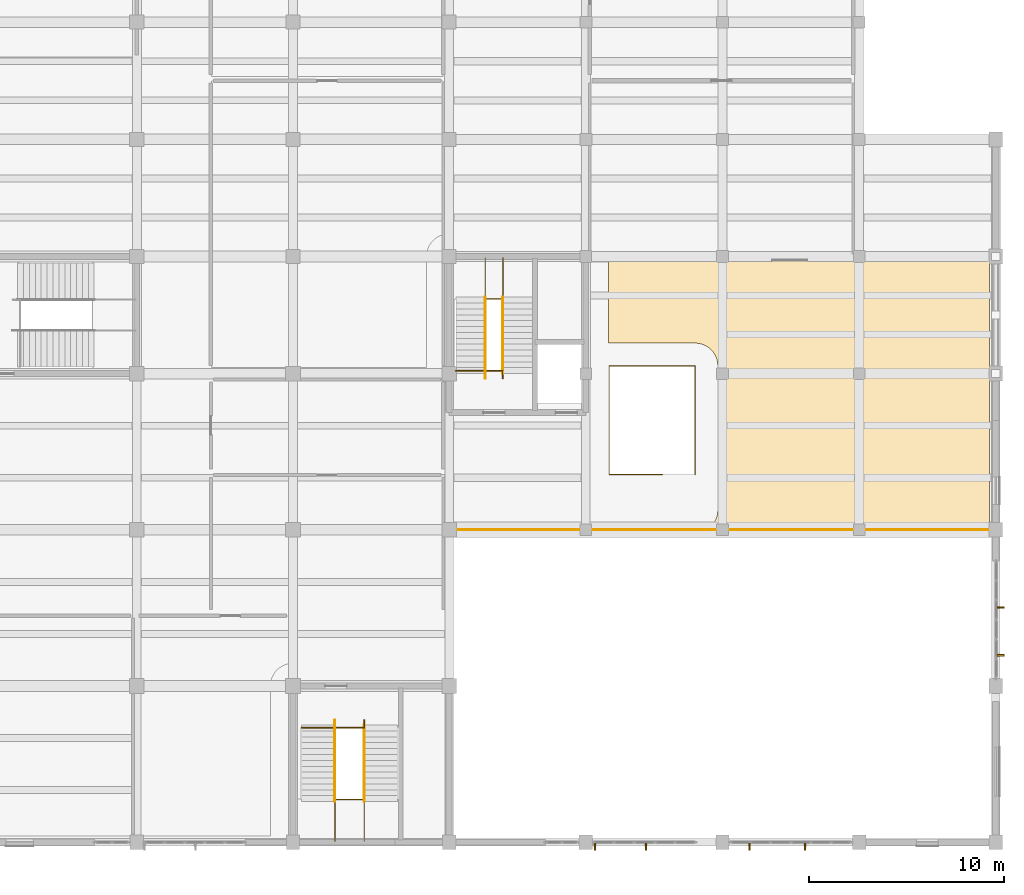
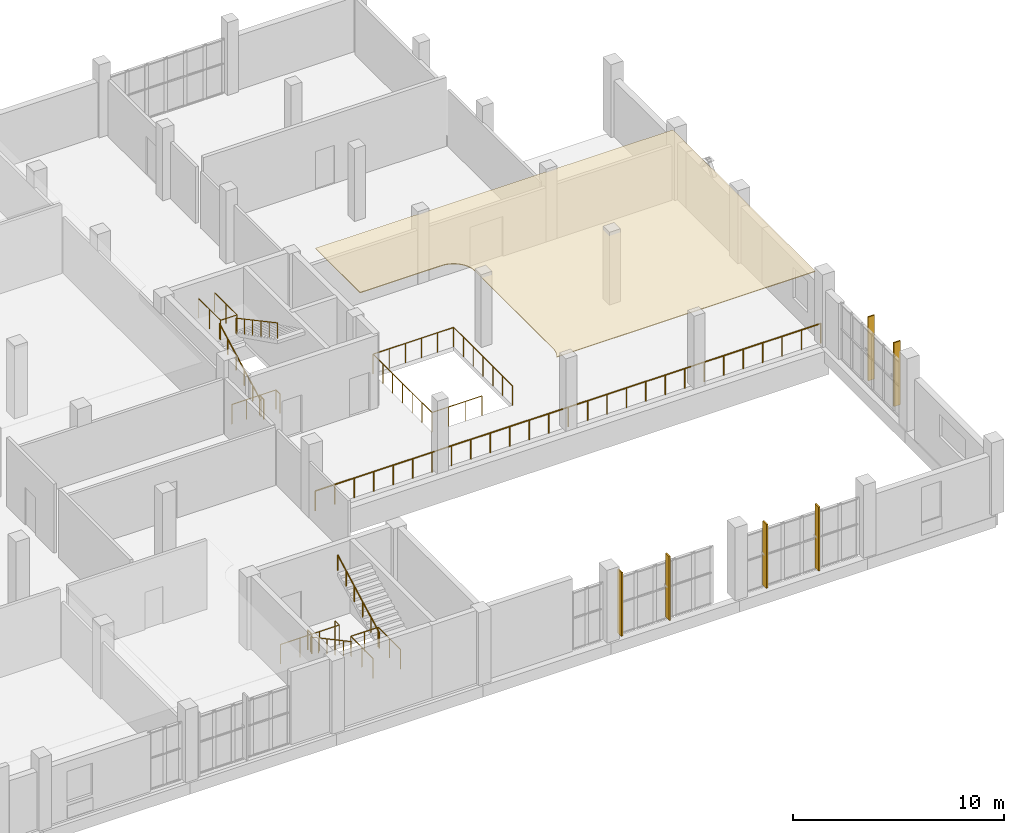
# One storey, part 85 of 85: 12 railings, 6 shading devices, 1 covering.
"""IFC4 building model written with IfcOpenShell, lengths in metres."""

from ifc_helpers import new_model, si_unit, direction, frame, origin, origin_2d, place, context, subcontext, project, spatial, polyline, rectangle, circle, outline, extrude, material, layer, layer_set, type_object, element, save


model = new_model("IFC4")

# Units and contexts
model_context = context("Model", 3, precision=1e-05, world=origin(), true_north=direction((0.0, 1.0)))
body_context = subcontext(model_context, "Body", "Model", "MODEL_VIEW")
ifc_project = project(units=[si_unit("LENGTHUNIT", "METRE"), si_unit("AREAUNIT", "SQUARE_METRE"), si_unit("VOLUMEUNIT", "CUBIC_METRE"), si_unit("PLANEANGLEUNIT", "RADIAN"), si_unit("MASSUNIT", "GRAM", prefix="KILO")], contexts=[model_context])

# Site, building, storey
site_placement = place(None, origin())
site = spatial("IfcSite", under=ifc_project, at=site_placement, CompositionType="ELEMENT")
building_placement = place(site_placement, origin())
building = spatial("IfcBuilding", under=site, at=building_placement, Name="Solvane Community Centre", CompositionType="ELEMENT")
storey_placement = place(building_placement, frame((0.0, 0.0, 5.39990234375)))
storey = spatial("IfcBuildingStorey", under=building, at=storey_placement, Name="L01", CompositionType="ELEMENT", Elevation=5.39990234375)

# Covering
ifc_material_1 = material(Name="Acoustic timber slat ceiling", Category="wood")
ifc_layer = layer(ifc_material_1, 0.0400390625)
ifc_layer_set = layer_set([ifc_layer], Name="Acoustic timber slat ceiling")
covering_type = type_object("IfcCoveringType", Name="Acoustic Timber Slat Suspended Ceiling", PredefinedType="CEILING", material=ifc_layer_set)
covering_placement = place(storey_placement, frame((0.0, 0.0, 3.955078125)))
element("IfcCovering", 1, at=covering_placement, inside=storey, type_object=covering_type, Name="Acoustic Ceiling L01-28", PredefinedType="CEILING", context=body_context, shape_type="SweptSolid", body=[
    extrude(outline(polyline([(167.679931640625, 35.780029296875), (167.679931640625, 22.320068359375), (153.539306640625, 22.320068359375), (153.5908203125, 22.39697265625), (153.598876953125, 22.410400390625), (153.64501953125, 22.4970703125), (153.65185546875, 22.51123046875), (153.689453125, 22.601806640625), (153.694580078125, 22.61669921875), (153.72314453125, 22.710693359375), (153.72705078125, 22.725830078125), (153.74609375, 22.822021484375), (153.748291015625, 22.837646484375), (153.758056640625, 22.935302734375), (153.7587890625, 22.950927734375), (153.760009765625, 23.0), (153.760009765625, 30.39990234375), (153.7587890625, 30.44921875), (153.758056640625, 30.46484375), (153.748291015625, 30.5625), (153.74609375, 30.577880859375), (153.72705078125, 30.67431640625), (153.72314453125, 30.689453125), (153.694580078125, 30.783203125), (153.689453125, 30.798095703125), (153.65185546875, 30.888916015625), (153.64501953125, 30.903076171875), (153.598876953125, 30.989501953125), (153.5908203125, 31.0029296875), (153.5361328125, 31.084716796875), (153.52685546875, 31.09716796875), (153.464599609375, 31.173095703125), (153.4541015625, 31.184814453125), (153.384765625, 31.254150390625), (153.373046875, 31.2646484375), (153.297119140625, 31.326904296875), (153.28466796875, 31.336181640625), (153.202880859375, 31.390869140625), (153.189453125, 31.398681640625), (153.10302734375, 31.445068359375), (153.0888671875, 31.451904296875), (152.998046875, 31.489501953125), (152.9833984375, 31.49462890625), (152.889404296875, 31.523193359375), (152.874267578125, 31.527099609375), (152.77783203125, 31.546142578125), (152.762451171875, 31.54833984375), (152.664794921875, 31.55810546875), (152.649169921875, 31.558837890625), (152.60009765625, 31.56005859375), (148.199951171875, 31.56005859375), (148.159912109375, 31.55908203125), (148.159912109375, 35.780029296875), (167.679931640625, 35.780029296875)])), origin(), (0.0, 0.0, 1.0), 0.0400390625),
])

# Shading devices
ifc_material_2 = material(Name="Anodised bronze aluminium AW-6063 T6", Category="aluminium")
shading_device_type = type_object("IfcShadingDeviceType", Name="Art Deco Bronze Solar Fin 80x360", PredefinedType="USERDEFINED", material=ifc_material_2)
shading_device_1_placement = place(storey_placement, frame((158.233154296875, 5.760009765625, 0.14990234375), z_axis=(0.0, 0.0, 1.0), x_axis=(-1.0, 0.0, 0.0)))
element("IfcShadingDevice", 2, at=shading_device_1_placement, inside=storey, type_object=shading_device_type, Name="Solar Brise-Soleil Fin 31", ObjectType="Solar Brise-Soleil Fin 31", PredefinedType="USERDEFINED", context=body_context, shape_type="SweptSolid", body=[
    extrude(rectangle(XDim=0.080078125, YDim=0.360107421875, at=origin_2d()), origin(), (0.0, 0.0, 1.0), 3.679931640625),
])
shading_device_2_placement = place(storey_placement, frame((155.38232421875, 5.760009765625, 0.14990234375), z_axis=(0.0, 0.0, 1.0), x_axis=(-1.0, 0.0, 0.0)))
element("IfcShadingDevice", 3, at=shading_device_2_placement, inside=storey, type_object=shading_device_type, Name="Solar Brise-Soleil Fin 32", ObjectType="Solar Brise-Soleil Fin 32", PredefinedType="USERDEFINED", context=body_context, shape_type="SweptSolid", body=[
    extrude(rectangle(XDim=0.080078125, YDim=0.360107421875, at=origin_2d()), origin(), (0.0, 0.0, 1.0), 3.679931640625),
])
shading_device_3_placement = place(storey_placement, frame((150.076904296875, 5.760009765625, 0.14990234375), z_axis=(0.0, 0.0, 1.0), x_axis=(-1.0, 0.0, 0.0)))
element("IfcShadingDevice", 4, at=shading_device_3_placement, inside=storey, type_object=shading_device_type, Name="Solar Brise-Soleil Fin 33", ObjectType="Solar Brise-Soleil Fin 33", PredefinedType="USERDEFINED", context=body_context, shape_type="SweptSolid", body=[
    extrude(rectangle(XDim=0.080078125, YDim=0.360107421875, at=origin_2d()), origin(), (0.0, 0.0, 1.0), 3.679931640625),
])
shading_device_4_placement = place(storey_placement, frame((147.461669921875, 5.760009765625, 0.14990234375), z_axis=(0.0, 0.0, 1.0), x_axis=(-1.0, 0.0, 0.0)))
element("IfcShadingDevice", 5, at=shading_device_4_placement, inside=storey, type_object=shading_device_type, Name="Solar Brise-Soleil Fin 34", ObjectType="Solar Brise-Soleil Fin 34", PredefinedType="USERDEFINED", context=body_context, shape_type="SweptSolid", body=[
    extrude(rectangle(XDim=0.080078125, YDim=0.360107421875, at=origin_2d()), origin(), (0.0, 0.0, 1.0), 3.679931640625),
])
shading_device_5_placement = place(storey_placement, frame((168.239990234375, 18.02392578125, 0.14990234375), z_axis=(0.0, 0.0, 1.0), x_axis=(0.0, -1.0, 0.0)))
element("IfcShadingDevice", 6, at=shading_device_5_placement, inside=storey, type_object=shading_device_type, Name="Solar Brise-Soleil Fin 67", ObjectType="Solar Brise-Soleil Fin 67", PredefinedType="USERDEFINED", context=body_context, shape_type="SweptSolid", body=[
    extrude(rectangle(XDim=0.080078125, YDim=0.360107421875, at=origin_2d()), origin(), (0.0, 0.0, 1.0), 3.679931640625),
])
shading_device_6_placement = place(storey_placement, frame((168.239990234375, 15.575927734375, 0.14990234375), z_axis=(0.0, 0.0, 1.0), x_axis=(0.0, -1.0, 0.0)))
element("IfcShadingDevice", 7, at=shading_device_6_placement, inside=storey, type_object=shading_device_type, Name="Solar Brise-Soleil Fin 68", ObjectType="Solar Brise-Soleil Fin 68", PredefinedType="USERDEFINED", context=body_context, shape_type="SweptSolid", body=[
    extrude(rectangle(XDim=0.080078125, YDim=0.360107421875, at=origin_2d()), origin(), (0.0, 0.0, 1.0), 3.679931640625),
])

# Railings
railing_type_1 = type_object("IfcRailingType", Name="Interior Gallery & Stair Well Guard 1150mm", PredefinedType="BALUSTRADE", material=ifc_material_2)
railing_1_placement = place(storey_placement, frame((134.14990234375, 6.06005859375, 2.10009765625)))
element("IfcRailing", 8, at=railing_1_placement, inside=storey, type_object=railing_type_1, Name="Railing GR-L01-044", PredefinedType="BALUSTRADE", context=body_context, shape_type="SweptSolid", body=[
    extrude(circle(Radius=0.02392578125, at=origin_2d()), frame((0.0, 0.0, 1.1259765625), z_axis=(0.0, 1.0, 0.0), x_axis=(-1.0, 0.0, 0.0)), (0.0, 0.0, 1.0), 2.119873046875),
    extrude(circle(Radius=0.02392578125, at=origin_2d()), frame((0.0, 2.119873046875, 1.1259765625), z_axis=(1.0, 0.0, 0.0), x_axis=(0.0, 1.0, 0.0)), (0.0, 0.0, 1.0), 1.5),
    extrude(circle(Radius=0.02392578125, at=origin_2d()), frame((1.5, 2.119873046875, 1.1259765625), z_axis=(0.0, -1.0, 0.0), x_axis=(1.0, 0.0, 0.0)), (0.0, 0.0, 1.0), 2.119873046875),
    extrude(circle(Radius=0.02099609375, at=origin_2d()), origin(), (0.0, 0.0, 1.0), 1.101806640625),
    extrude(circle(Radius=0.02099609375, at=origin_2d()), frame((0.0, 1.06005859375, 0.0)), (0.0, 0.0, 1.0), 1.101806640625),
    extrude(circle(Radius=0.02099609375, at=origin_2d()), frame((0.0, 2.119873046875, 0.0)), (0.0, 0.0, 1.0), 1.101806640625),
    extrude(circle(Radius=0.02099609375, at=origin_2d()), frame((0.75, 2.119873046875, 0.0)), (0.0, 0.0, 1.0), 1.101806640625),
    extrude(circle(Radius=0.02099609375, at=origin_2d()), frame((1.5, 2.119873046875, 0.0)), (0.0, 0.0, 1.0), 1.101806640625),
    extrude(circle(Radius=0.02099609375, at=origin_2d()), frame((1.5, 1.06005859375, 0.0)), (0.0, 0.0, 1.0), 1.101806640625),
    extrude(circle(Radius=0.02099609375, at=origin_2d()), frame((1.5, 0.0, 0.0)), (0.0, 0.0, 1.0), 1.101806640625),
])
railing_2_placement = place(storey_placement, frame((132.43994140625, 11.860107421875, 0.0)))
element("IfcRailing", 9, at=railing_2_placement, inside=storey, type_object=railing_type_1, Name="Railing GR-L01-045", PredefinedType="BALUSTRADE", context=body_context, shape_type="SweptSolid", body=[
    extrude(circle(Radius=0.02392578125, at=origin_2d()), frame((0.0, 0.0, 1.1259765625), z_axis=(1.0, 0.0, 0.0), x_axis=(0.0, 1.0, 0.0)), (0.0, 0.0, 1.0), 3.2099609375),
    extrude(circle(Radius=0.02392578125, at=origin_2d()), frame((3.2099609375, 0.0, 1.1259765625), z_axis=(0.0, 1.0, 0.0), x_axis=(-1.0, 0.0, 0.0)), (0.0, 0.0, 1.0), 0.389892578125),
    extrude(circle(Radius=0.02099609375, at=origin_2d()), origin(), (0.0, 0.0, 1.0), 1.101806640625),
    extrude(circle(Radius=0.02099609375, at=origin_2d()), frame((1.070068359375, 0.0, 0.0)), (0.0, 0.0, 1.0), 1.101806640625),
    extrude(circle(Radius=0.02099609375, at=origin_2d()), frame((2.139892578125, 0.0, 0.0)), (0.0, 0.0, 1.0), 1.101806640625),
    extrude(circle(Radius=0.02099609375, at=origin_2d()), frame((3.2099609375, 0.0, 0.0)), (0.0, 0.0, 1.0), 1.101806640625),
    extrude(circle(Radius=0.02099609375, at=origin_2d()), frame((3.2099609375, 0.389892578125, 0.0)), (0.0, 0.0, 1.0), 1.101806640625),
])
railing_3_placement = place(storey_placement, frame((134.14990234375, 12.25, 0.0)))
element("IfcRailing", 10, at=railing_3_placement, inside=storey, type_object=railing_type_1, Name="Railing GR-L01-046", PredefinedType="BALUSTRADE", context=body_context, shape_type="SweptSolid", body=[
    extrude(circle(Radius=0.02392578125, at=origin_2d()), frame((0.0, 0.0, 1.1259765625), z_axis=(0.0, -1.0, 0.0), x_axis=(1.0, 0.0, 0.0)), (0.0, 0.0, 1.0), 0.389892578125),
    extrude(circle(Radius=0.02099609375, at=origin_2d()), origin(), (0.0, 0.0, 1.0), 1.101806640625),
    extrude(circle(Radius=0.02099609375, at=origin_2d()), frame((0.0, -0.389892578125, 0.0)), (0.0, 0.0, 1.0), 1.101806640625),
])
railing_4_placement = place(storey_placement, frame((141.85009765625, 35.93994140625, 2.10009765625)))
element("IfcRailing", 11, at=railing_4_placement, inside=storey, type_object=railing_type_1, Name="Railing GR-L01-091", PredefinedType="BALUSTRADE", context=body_context, shape_type="SweptSolid", body=[
    extrude(circle(Radius=0.02392578125, at=origin_2d()), frame((0.0, 0.0, 1.1259765625), z_axis=(0.0, -1.0, 0.0), x_axis=(1.0, 0.0, 0.0)), (0.0, 0.0, 1.0), 2.119873046875),
    extrude(circle(Radius=0.02392578125, at=origin_2d()), frame((0.0, -2.119873046875, 1.1259765625), z_axis=(1.0, 0.0, 0.0), x_axis=(0.0, 1.0, 0.0)), (0.0, 0.0, 1.0), 0.89990234375),
    extrude(circle(Radius=0.02392578125, at=origin_2d()), frame((0.89990234375, -2.119873046875, 1.1259765625), z_axis=(0.0, 1.0, 0.0), x_axis=(-1.0, 0.0, 0.0)), (0.0, 0.0, 1.0), 2.119873046875),
    extrude(circle(Radius=0.02099609375, at=origin_2d()), origin(), (0.0, 0.0, 1.0), 1.101806640625),
    extrude(circle(Radius=0.02099609375, at=origin_2d()), frame((0.0, -1.06005859375, 0.0)), (0.0, 0.0, 1.0), 1.101806640625),
    extrude(circle(Radius=0.02099609375, at=origin_2d()), frame((0.0, -2.119873046875, 0.0)), (0.0, 0.0, 1.0), 1.101806640625),
    extrude(circle(Radius=0.02099609375, at=origin_2d()), frame((0.89990234375, -2.119873046875, 0.0)), (0.0, 0.0, 1.0), 1.101806640625),
    extrude(circle(Radius=0.02099609375, at=origin_2d()), frame((0.89990234375, -1.06005859375, 0.0)), (0.0, 0.0, 1.0), 1.101806640625),
    extrude(circle(Radius=0.02099609375, at=origin_2d()), frame((0.89990234375, 0.0, 0.0)), (0.0, 0.0, 1.0), 1.101806640625),
])
railing_5_placement = place(storey_placement, frame((140.340087890625, 30.139892578125, 0.0)))
element("IfcRailing", 12, at=railing_5_placement, inside=storey, type_object=railing_type_1, Name="Railing GR-L01-092", PredefinedType="BALUSTRADE", context=body_context, shape_type="SweptSolid", body=[
    extrude(circle(Radius=0.02392578125, at=origin_2d()), frame((0.0, 0.0, 1.1259765625), z_axis=(1.0, 0.0, 0.0), x_axis=(0.0, 1.0, 0.0)), (0.0, 0.0, 1.0), 2.409912109375),
    extrude(circle(Radius=0.02392578125, at=origin_2d()), frame((2.409912109375, 0.0, 1.1259765625), z_axis=(0.0, -1.0, 0.0), x_axis=(1.0, 0.0, 0.0)), (0.0, 0.0, 1.0), 0.389892578125),
    extrude(circle(Radius=0.02099609375, at=origin_2d()), origin(), (0.0, 0.0, 1.0), 1.101806640625),
    extrude(circle(Radius=0.02099609375, at=origin_2d()), frame((0.80322265625, 0.0, 0.0)), (0.0, 0.0, 1.0), 1.101806640625),
    extrude(circle(Radius=0.02099609375, at=origin_2d()), frame((1.606689453125, 0.0, 0.0)), (0.0, 0.0, 1.0), 1.101806640625),
    extrude(circle(Radius=0.02099609375, at=origin_2d()), frame((2.409912109375, 0.0, 0.0)), (0.0, 0.0, 1.0), 1.101806640625),
    extrude(circle(Radius=0.02099609375, at=origin_2d()), frame((2.409912109375, -0.389892578125, 0.0)), (0.0, 0.0, 1.0), 1.101806640625),
])
railing_6_placement = place(storey_placement, frame((141.85009765625, 29.75, 0.0)))
element("IfcRailing", 13, at=railing_6_placement, inside=storey, type_object=railing_type_1, Name="Railing GR-L01-093", PredefinedType="BALUSTRADE", context=body_context, shape_type="SweptSolid", body=[
    extrude(circle(Radius=0.02392578125, at=origin_2d()), frame((0.0, 0.0, 1.1259765625), z_axis=(0.0, 1.0, 0.0), x_axis=(-1.0, 0.0, 0.0)), (0.0, 0.0, 1.0), 0.389892578125),
    extrude(circle(Radius=0.02099609375, at=origin_2d()), origin(), (0.0, 0.0, 1.0), 1.101806640625),
    extrude(circle(Radius=0.02099609375, at=origin_2d()), frame((0.0, 0.389892578125, 0.0)), (0.0, 0.0, 1.0), 1.101806640625),
])
railing_7_placement = place(storey_placement, frame((150.929931640625, 24.840087890625, 0.0)))
element("IfcRailing", 14, at=railing_7_placement, inside=storey, type_object=railing_type_1, Name="Railing GR-L01-121", PredefinedType="BALUSTRADE", context=body_context, shape_type="SweptSolid", body=[
    extrude(circle(Radius=0.02392578125, at=origin_2d()), frame((0.0, 0.0, 1.1259765625), z_axis=(-1.0, 0.0, 0.0), x_axis=(0.0, -1.0, 0.0)), (0.0, 0.0, 1.0), 2.72998046875),
    extrude(circle(Radius=0.02392578125, at=origin_2d()), frame((-2.72998046875, 0.0, 1.1259765625), z_axis=(0.0, 1.0, 0.0), x_axis=(-1.0, 0.0, 0.0)), (0.0, 0.0, 1.0), 5.559814453125),
    extrude(circle(Radius=0.02392578125, at=origin_2d()), frame((-2.72998046875, 5.559814453125, 1.1259765625), z_axis=(1.0, 0.0, 0.0), x_axis=(0.0, 1.0, 0.0)), (0.0, 0.0, 1.0), 4.400146484375),
    extrude(circle(Radius=0.02392578125, at=origin_2d()), frame((1.670166015625, 5.559814453125, 1.1259765625), z_axis=(0.0, -1.0, 0.0), x_axis=(1.0, 0.0, 0.0)), (0.0, 0.0, 1.0), 5.559814453125),
    extrude(circle(Radius=0.02099609375, at=origin_2d()), origin(), (0.0, 0.0, 1.0), 1.101806640625),
    extrude(circle(Radius=0.02099609375, at=origin_2d()), frame((-0.909912109375, 0.0, 0.0)), (0.0, 0.0, 1.0), 1.101806640625),
    extrude(circle(Radius=0.02099609375, at=origin_2d()), frame((-1.820068359375, 0.0, 0.0)), (0.0, 0.0, 1.0), 1.101806640625),
    extrude(circle(Radius=0.02099609375, at=origin_2d()), frame((-2.72998046875, 0.0, 0.0)), (0.0, 0.0, 1.0), 1.101806640625),
    extrude(circle(Radius=0.02099609375, at=origin_2d()), frame((-2.72998046875, 0.9267578125, 0.0)), (0.0, 0.0, 1.0), 1.101806640625),
    extrude(circle(Radius=0.02099609375, at=origin_2d()), frame((-2.72998046875, 1.853271484375, 0.0)), (0.0, 0.0, 1.0), 1.101806640625),
    extrude(circle(Radius=0.02099609375, at=origin_2d()), frame((-2.72998046875, 2.77978515625, 0.0)), (0.0, 0.0, 1.0), 1.101806640625),
    extrude(circle(Radius=0.02099609375, at=origin_2d()), frame((-2.72998046875, 3.70654296875, 0.0)), (0.0, 0.0, 1.0), 1.101806640625),
    extrude(circle(Radius=0.02099609375, at=origin_2d()), frame((-2.72998046875, 4.63330078125, 0.0)), (0.0, 0.0, 1.0), 1.101806640625),
    extrude(circle(Radius=0.02099609375, at=origin_2d()), frame((-2.72998046875, 5.559814453125, 0.0)), (0.0, 0.0, 1.0), 1.101806640625),
    extrude(circle(Radius=0.02099609375, at=origin_2d()), frame((-1.849853515625, 5.559814453125, 0.0)), (0.0, 0.0, 1.0), 1.101806640625),
    extrude(circle(Radius=0.02099609375, at=origin_2d()), frame((-0.969970703125, 5.559814453125, 0.0)), (0.0, 0.0, 1.0), 1.101806640625),
    extrude(circle(Radius=0.02099609375, at=origin_2d()), frame((-0.08984375, 5.559814453125, 0.0)), (0.0, 0.0, 1.0), 1.101806640625),
    extrude(circle(Radius=0.02099609375, at=origin_2d()), frame((0.7900390625, 5.559814453125, 0.0)), (0.0, 0.0, 1.0), 1.101806640625),
    extrude(circle(Radius=0.02099609375, at=origin_2d()), frame((1.670166015625, 5.559814453125, 0.0)), (0.0, 0.0, 1.0), 1.101806640625),
    extrude(circle(Radius=0.02099609375, at=origin_2d()), frame((1.670166015625, 4.63330078125, 0.0)), (0.0, 0.0, 1.0), 1.101806640625),
    extrude(circle(Radius=0.02099609375, at=origin_2d()), frame((1.670166015625, 3.70654296875, 0.0)), (0.0, 0.0, 1.0), 1.101806640625),
    extrude(circle(Radius=0.02099609375, at=origin_2d()), frame((1.670166015625, 2.77978515625, 0.0)), (0.0, 0.0, 1.0), 1.101806640625),
    extrude(circle(Radius=0.02099609375, at=origin_2d()), frame((1.670166015625, 1.853271484375, 0.0)), (0.0, 0.0, 1.0), 1.101806640625),
    extrude(circle(Radius=0.02099609375, at=origin_2d()), frame((1.670166015625, 0.9267578125, 0.0)), (0.0, 0.0, 1.0), 1.101806640625),
    extrude(circle(Radius=0.02099609375, at=origin_2d()), frame((1.670166015625, 0.0, 0.0)), (0.0, 0.0, 1.0), 1.101806640625),
])
railing_8_placement = place(storey_placement, frame((140.199951171875, 22.0, 0.0)))
element("IfcRailing", 15, at=railing_8_placement, inside=storey, type_object=railing_type_1, Name="Railing GR-L01-138", PredefinedType="BALUSTRADE", context=body_context, shape_type="SweptSolid", body=[
    extrude(circle(Radius=0.02392578125, at=origin_2d()), frame((0.0, 0.0, 1.1259765625), z_axis=(1.0, 0.0, 0.0), x_axis=(0.0, 1.0, 0.0)), (0.0, 0.0, 1.0), 27.60009765625),
    extrude(circle(Radius=0.02099609375, at=origin_2d()), origin(), (0.0, 0.0, 1.0), 1.101806640625),
    extrude(circle(Radius=0.02099609375, at=origin_2d()), frame((1.0615234375, 0.0, 0.0)), (0.0, 0.0, 1.0), 1.101806640625),
    extrude(circle(Radius=0.02099609375, at=origin_2d()), frame((2.123046875, 0.0, 0.0)), (0.0, 0.0, 1.0), 1.101806640625),
    extrude(circle(Radius=0.02099609375, at=origin_2d()), frame((3.1845703125, 0.0, 0.0)), (0.0, 0.0, 1.0), 1.101806640625),
    extrude(circle(Radius=0.02099609375, at=origin_2d()), frame((4.24609375, 0.0, 0.0)), (0.0, 0.0, 1.0), 1.101806640625),
    extrude(circle(Radius=0.02099609375, at=origin_2d()), frame((5.3076171875, 0.0, 0.0)), (0.0, 0.0, 1.0), 1.101806640625),
    extrude(circle(Radius=0.02099609375, at=origin_2d()), frame((6.369140625, 0.0, 0.0)), (0.0, 0.0, 1.0), 1.101806640625),
    extrude(circle(Radius=0.02099609375, at=origin_2d()), frame((7.430908203125, 0.0, 0.0)), (0.0, 0.0, 1.0), 1.101806640625),
    extrude(circle(Radius=0.02099609375, at=origin_2d()), frame((8.492431640625, 0.0, 0.0)), (0.0, 0.0, 1.0), 1.101806640625),
    extrude(circle(Radius=0.02099609375, at=origin_2d()), frame((9.553955078125, 0.0, 0.0)), (0.0, 0.0, 1.0), 1.101806640625),
    extrude(circle(Radius=0.02099609375, at=origin_2d()), frame((10.615478515625, 0.0, 0.0)), (0.0, 0.0, 1.0), 1.101806640625),
    extrude(circle(Radius=0.02099609375, at=origin_2d()), frame((11.677001953125, 0.0, 0.0)), (0.0, 0.0, 1.0), 1.101806640625),
    extrude(circle(Radius=0.02099609375, at=origin_2d()), frame((12.738525390625, 0.0, 0.0)), (0.0, 0.0, 1.0), 1.101806640625),
    extrude(circle(Radius=0.02099609375, at=origin_2d()), frame((13.800048828125, 0.0, 0.0)), (0.0, 0.0, 1.0), 1.101806640625),
    extrude(circle(Radius=0.02099609375, at=origin_2d()), frame((14.861572265625, 0.0, 0.0)), (0.0, 0.0, 1.0), 1.101806640625),
    extrude(circle(Radius=0.02099609375, at=origin_2d()), frame((15.923095703125, 0.0, 0.0)), (0.0, 0.0, 1.0), 1.101806640625),
    extrude(circle(Radius=0.02099609375, at=origin_2d()), frame((16.984619140625, 0.0, 0.0)), (0.0, 0.0, 1.0), 1.101806640625),
    extrude(circle(Radius=0.02099609375, at=origin_2d()), frame((18.046142578125, 0.0, 0.0)), (0.0, 0.0, 1.0), 1.101806640625),
    extrude(circle(Radius=0.02099609375, at=origin_2d()), frame((19.107666015625, 0.0, 0.0)), (0.0, 0.0, 1.0), 1.101806640625),
    extrude(circle(Radius=0.02099609375, at=origin_2d()), frame((20.169189453125, 0.0, 0.0)), (0.0, 0.0, 1.0), 1.101806640625),
    extrude(circle(Radius=0.02099609375, at=origin_2d()), frame((21.23095703125, 0.0, 0.0)), (0.0, 0.0, 1.0), 1.101806640625),
    extrude(circle(Radius=0.02099609375, at=origin_2d()), frame((22.29248046875, 0.0, 0.0)), (0.0, 0.0, 1.0), 1.101806640625),
    extrude(circle(Radius=0.02099609375, at=origin_2d()), frame((23.35400390625, 0.0, 0.0)), (0.0, 0.0, 1.0), 1.101806640625),
    extrude(circle(Radius=0.02099609375, at=origin_2d()), frame((24.41552734375, 0.0, 0.0)), (0.0, 0.0, 1.0), 1.101806640625),
    extrude(circle(Radius=0.02099609375, at=origin_2d()), frame((25.47705078125, 0.0, 0.0)), (0.0, 0.0, 1.0), 1.101806640625),
    extrude(circle(Radius=0.02099609375, at=origin_2d()), frame((26.53857421875, 0.0, 0.0)), (0.0, 0.0, 1.0), 1.101806640625),
    extrude(circle(Radius=0.02099609375, at=origin_2d()), frame((27.60009765625, 0.0, 0.0)), (0.0, 0.0, 1.0), 1.101806640625),
])
railing_type_2 = type_object("IfcRailingType", Name="Stair Pitch Handrail 900mm", PredefinedType="HANDRAIL", material=ifc_material_2)
railing_9_placement = place(storey_placement, frame((134.14990234375, 12.0, 0.0)))
element("IfcRailing", 16, at=railing_9_placement, inside=storey, type_object=railing_type_2, Name="Railing HR-L01-042", PredefinedType="HANDRAIL", context=body_context, shape_type="SweptSolid", body=[
    extrude(circle(Radius=0.02392578125, at=origin_2d()), frame((0.0, 0.0, 0.8759765625), z_axis=(0.0, -0.881466911329, 0.472245787945), x_axis=(1.0, 0.0, 0.0)), (0.0, 0.0, 1.0), 4.447021484375),
    extrude(circle(Radius=0.02099609375, at=origin_2d()), origin(), (0.0, 0.0, 1.0), 0.851806640625),
    extrude(circle(Radius=0.02099609375, at=origin_2d()), frame((0.0, -0.783935546875, 0.419921875)), (0.0, 0.0, 1.0), 0.851806640625),
    extrude(circle(Radius=0.02099609375, at=origin_2d()), frame((0.0, -1.56787109375, 0.840087890625)), (0.0, 0.0, 1.0), 0.851806640625),
    extrude(circle(Radius=0.02099609375, at=origin_2d()), frame((0.0, -2.35205078125, 1.260009765625)), (0.0, 0.0, 1.0), 0.851806640625),
    extrude(circle(Radius=0.02099609375, at=origin_2d()), frame((0.0, -3.135986328125, 1.68017578125)), (0.0, 0.0, 1.0), 0.851806640625),
    extrude(circle(Radius=0.02099609375, at=origin_2d()), frame((0.0, -3.919921875, 2.10009765625)), (0.0, 0.0, 1.0), 0.851806640625),
])
for number, where, name in (
    (17, (135.64990234375, 8.080078125, 2.10009765625), "Railing HR-L01-043"),
    (18, (141.85009765625, 30.0, 0.0), "Railing HR-L01-089"),
):
    element("IfcRailing", number, at=place(storey_placement, frame(where)), inside=storey, type_object=railing_type_2, Name=name, PredefinedType="HANDRAIL", context=body_context, shape_type="SweptSolid", body=[
        extrude(circle(Radius=0.02392578125, at=origin_2d()), frame((0.0, 0.0, 0.8759765625), z_axis=(0.0, 0.881466911329, 0.472245787945), x_axis=(-1.0, 0.0, 0.0)), (0.0, 0.0, 1.0), 4.447021484375),
        extrude(circle(Radius=0.02099609375, at=origin_2d()), origin(), (0.0, 0.0, 1.0), 0.851806640625),
        extrude(circle(Radius=0.02099609375, at=origin_2d()), frame((0.0, 0.783935546875, 0.419921875)), (0.0, 0.0, 1.0), 0.851806640625),
        extrude(circle(Radius=0.02099609375, at=origin_2d()), frame((0.0, 1.56787109375, 0.840087890625)), (0.0, 0.0, 1.0), 0.851806640625),
        extrude(circle(Radius=0.02099609375, at=origin_2d()), frame((0.0, 2.35205078125, 1.260009765625)), (0.0, 0.0, 1.0), 0.851806640625),
        extrude(circle(Radius=0.02099609375, at=origin_2d()), frame((0.0, 3.135986328125, 1.68017578125)), (0.0, 0.0, 1.0), 0.851806640625),
        extrude(circle(Radius=0.02099609375, at=origin_2d()), frame((0.0, 3.919921875, 2.10009765625)), (0.0, 0.0, 1.0), 0.851806640625),
    ])
railing_10_placement = place(storey_placement, frame((142.75, 33.919921875, 2.10009765625)))
element("IfcRailing", 19, at=railing_10_placement, inside=storey, type_object=railing_type_2, Name="Railing HR-L01-090", PredefinedType="HANDRAIL", context=body_context, shape_type="SweptSolid", body=[
    extrude(circle(Radius=0.02392578125, at=origin_2d()), frame((0.0, 0.0, 0.8759765625), z_axis=(0.0, -0.881466911329, 0.472245787945), x_axis=(1.0, 0.0, 0.0)), (0.0, 0.0, 1.0), 4.447021484375),
    extrude(circle(Radius=0.02099609375, at=origin_2d()), origin(), (0.0, 0.0, 1.0), 0.851806640625),
    extrude(circle(Radius=0.02099609375, at=origin_2d()), frame((0.0, -0.783935546875, 0.419921875)), (0.0, 0.0, 1.0), 0.851806640625),
    extrude(circle(Radius=0.02099609375, at=origin_2d()), frame((0.0, -1.56787109375, 0.840087890625)), (0.0, 0.0, 1.0), 0.851806640625),
    extrude(circle(Radius=0.02099609375, at=origin_2d()), frame((0.0, -2.35205078125, 1.260009765625)), (0.0, 0.0, 1.0), 0.851806640625),
    extrude(circle(Radius=0.02099609375, at=origin_2d()), frame((0.0, -3.135986328125, 1.68017578125)), (0.0, 0.0, 1.0), 0.851806640625),
    extrude(circle(Radius=0.02099609375, at=origin_2d()), frame((0.0, -3.919921875, 2.10009765625)), (0.0, 0.0, 1.0), 0.851806640625),
])

save(model, "model.ifc")
